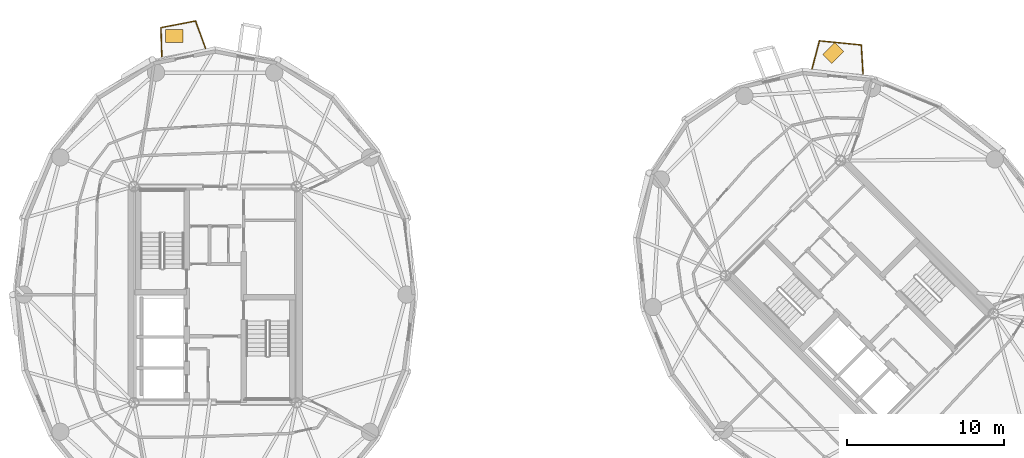
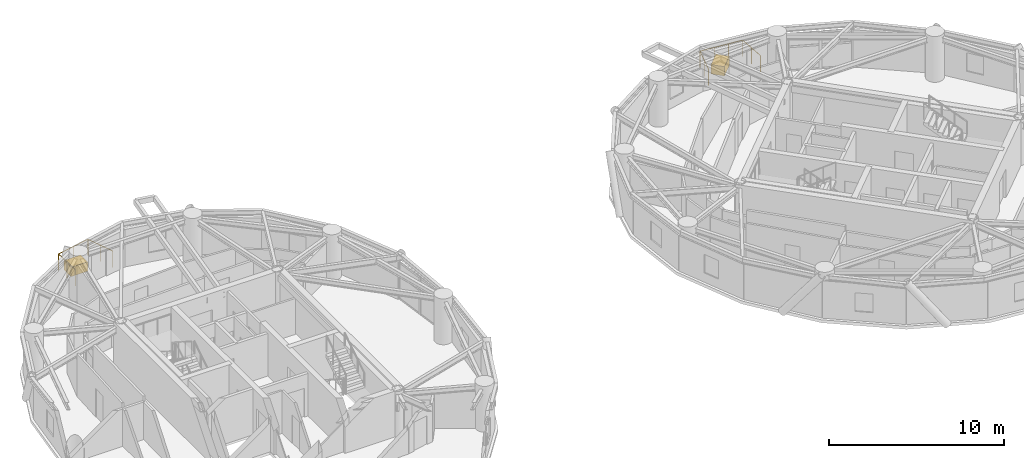
# One storey, part 17 of 17: 2 coverings, 2 railings.
"""IFC4 building model written with IfcOpenShell, lengths in metres."""

from ifc_helpers import new_model, si_unit, direction, frame, origin, origin_2d, place, context, subcontext, project, spatial, rectangle, circle, extrude, source, transform, mapped, material, layer, layer_set, type_object, element, save


model = new_model("IFC4")

# Units and contexts
model_context = context("Model", 3, precision=1e-05, world=origin(), true_north=direction((0.0, 1.0)))
body_context = subcontext(model_context, "Body", "Model", "MODEL_VIEW")
ifc_project = project(units=[si_unit("LENGTHUNIT", "METRE"), si_unit("AREAUNIT", "SQUARE_METRE"), si_unit("VOLUMEUNIT", "CUBIC_METRE"), si_unit("PLANEANGLEUNIT", "RADIAN"), si_unit("MASSUNIT", "GRAM", prefix="KILO")], contexts=[model_context])

# Site, building, storey
site_placement = place(None, origin())
site = spatial("IfcSite", under=ifc_project, at=site_placement, CompositionType="ELEMENT")
building_placement = place(site_placement, origin())
building = spatial("IfcBuilding", under=site, at=building_placement, Name="Cununo Teusaquillo Station Towers", CompositionType="ELEMENT")
storey_placement = place(building_placement, frame((0.0, 0.0, 222.85009765625)))
storey = spatial("IfcBuildingStorey", under=building, at=storey_placement, Name="L71", CompositionType="ELEMENT", Elevation=222.85009765625)

# Railings
ifc_material_1 = material(Name="Anodised dark bronze aluminium EN AW-6063-T6", Category="aluminium")
railing_type = type_object("IfcRailingType", Name="RL-EXT-GUARD", PredefinedType="GUARDRAIL", material=ifc_material_1)
railing_1_placement = place(storey_placement, frame((13.107421875, 39.643798828125, 0.0)))
element("IfcRailing", 1, at=railing_1_placement, inside=storey, type_object=railing_type, Name="L71 Tower A Balcony Guardrail C05", PredefinedType="GUARDRAIL", context=body_context, shape_type="SweptSolid", body=[
    extrude(circle(Radius=0.02392578125, at=origin_2d()), frame((0.0, 0.0, 1.1259765625), z_axis=(-0.030305152758, 0.999540693377, 0.0), x_axis=(-0.999540693377, -0.030305152758, 0.0)), (0.0, 0.0, 1.0), 1.8447265625),
    extrude(circle(Radius=0.02392578125, at=origin_2d()), frame((-0.055908203125, 1.843994140625, 1.1259765625), z_axis=(0.981834932982, 0.18973709278, 0.0), x_axis=(-0.18973709278, 0.981834932982, 0.0)), (0.0, 0.0, 1.0), 2.239013671875),
    extrude(circle(Radius=0.02392578125, at=origin_2d()), frame((2.142333984375, 2.268798828125, 1.1259765625), z_axis=(0.344196323776, -0.938897699805, 0.0), x_axis=(0.938897699805, 0.344196323776, 0.0)), (0.0, 0.0, 1.0), 1.844970703125),
    extrude(circle(Radius=0.02099609375, at=origin_2d()), origin(), (0.0, 0.0, 1.0), 1.101806640625),
    extrude(circle(Radius=0.02099609375, at=origin_2d()), frame((-0.02783203125, 0.921875, 0.0)), (0.0, 0.0, 1.0), 1.101806640625),
    extrude(circle(Radius=0.02099609375, at=origin_2d()), frame((-0.055908203125, 1.843994140625, 0.0)), (0.0, 0.0, 1.0), 1.101806640625),
    extrude(circle(Radius=0.02099609375, at=origin_2d()), frame((1.043212890625, 2.056396484375, 0.0)), (0.0, 0.0, 1.0), 1.101806640625),
    extrude(circle(Radius=0.02099609375, at=origin_2d()), frame((2.142333984375, 2.268798828125, 0.0)), (0.0, 0.0, 1.0), 1.101806640625),
    extrude(circle(Radius=0.02099609375, at=origin_2d()), frame((2.4599609375, 1.40283203125, 0.0)), (0.0, 0.0, 1.0), 1.101806640625),
    extrude(circle(Radius=0.02099609375, at=origin_2d()), frame((2.77734375, 0.53662109375, 0.0)), (0.0, 0.0, 1.0), 1.101806640625),
])
railing_2_placement = place(storey_placement, frame((54.476806640625, 38.8583984375, 0.0)))
element("IfcRailing", 2, at=railing_2_placement, inside=storey, type_object=railing_type, Name="L71 Tower B Balcony Guardrail C02", PredefinedType="GUARDRAIL", context=body_context, shape_type="SweptSolid", body=[
    extrude(circle(Radius=0.02392578125, at=origin_2d()), frame((0.0, 0.0, 1.1259765625), z_axis=(0.256417131113, 0.966566218565, 0.0), x_axis=(-0.966566218565, 0.256417131113, 0.0)), (0.0, 0.0, 1.0), 1.854736328125),
    extrude(circle(Radius=0.02392578125, at=origin_2d()), frame((0.4755859375, 1.792724609375, 1.1259765625), z_axis=(0.995123619559, -0.098635601058, 0.0), x_axis=(0.098635601058, 0.995123619559, 0.0)), (0.0, 0.0, 1.0), 2.673095703125),
    extrude(circle(Radius=0.02392578125, at=origin_2d()), frame((3.1357421875, 1.529052734375, 1.1259765625), z_axis=(0.061615983027, -0.998099930185, 0.0), x_axis=(0.998099930185, 0.061615983027, 0.0)), (0.0, 0.0, 1.0), 1.854248046875),
    extrude(circle(Radius=0.02099609375, at=origin_2d()), origin(), (0.0, 0.0, 1.0), 1.101806640625),
    extrude(circle(Radius=0.02099609375, at=origin_2d()), frame((0.23779296875, 0.896484375, 0.0)), (0.0, 0.0, 1.0), 1.101806640625),
    extrude(circle(Radius=0.02099609375, at=origin_2d()), frame((0.4755859375, 1.792724609375, 0.0)), (0.0, 0.0, 1.0), 1.101806640625),
    extrude(circle(Radius=0.02099609375, at=origin_2d()), frame((1.3623046875, 1.704833984375, 0.0)), (0.0, 0.0, 1.0), 1.101806640625),
    extrude(circle(Radius=0.02099609375, at=origin_2d()), frame((2.2490234375, 1.616943359375, 0.0)), (0.0, 0.0, 1.0), 1.101806640625),
    extrude(circle(Radius=0.02099609375, at=origin_2d()), frame((3.1357421875, 1.529052734375, 0.0)), (0.0, 0.0, 1.0), 1.101806640625),
    extrude(circle(Radius=0.02099609375, at=origin_2d()), frame((3.19287109375, 0.603515625, 0.0)), (0.0, 0.0, 1.0), 1.101806640625),
    extrude(circle(Radius=0.02099609375, at=origin_2d()), frame((3.25, -0.32177734375, 0.0)), (0.0, 0.0, 1.0), 1.101806640625),
])

# Coverings
ifc_material_2 = material(Name="Architectural GRC planter shell and engineered root-zone substrate", Category="concrete")
ifc_layer = layer(ifc_material_2, 0.64990234375)
ifc_layer_set = layer_set([ifc_layer], Name="Architectural GRC planter shell and engineered root-zone substrate")
covering_type = type_object("IfcCoveringType", Name="COV-TREE-PLANTER", PredefinedType="CLADDING", material=ifc_layer_set)
shared_shape = source(origin(), body_context, "Body", "SweptSolid", [
    extrude(rectangle(XDim=1.10009765625, YDim=0.800048828125, at=origin_2d()), origin(), (0.0, 0.0, 1.0), 0.64990234375),
])
for number, where, z_axis, x_axis, name in (
    (3, (13.902099609375, 40.95654296875, 0.0), (0.0, 0.0, 1.0), (1.0, 0.0, 0.0), "L71 Tower A Balcony Tree PLANTER C05"),
    (4, (55.831298828125, 39.872314453125, 0.0), (0.0, 0.0, 1.0), (0.707106781187, 0.707106781187, 0.0), "L71 Tower B Balcony Tree PLANTER C02"),
):
    element("IfcCovering", number, at=place(storey_placement, frame(where, z_axis=z_axis, x_axis=x_axis)), inside=storey, type_object=covering_type, Name=name, PredefinedType="CLADDING", context=body_context, shape_type="MappedRepresentation", body=[
        mapped(shared_shape, transform((0.0, 0.0, 0.0), x_axis=(1.0, 0.0, 0.0), y_axis=(0.0, 1.0, 0.0), z_axis=(0.0, 0.0, 1.0), scale=1.0)),
    ])

save(model, "model.ifc")
